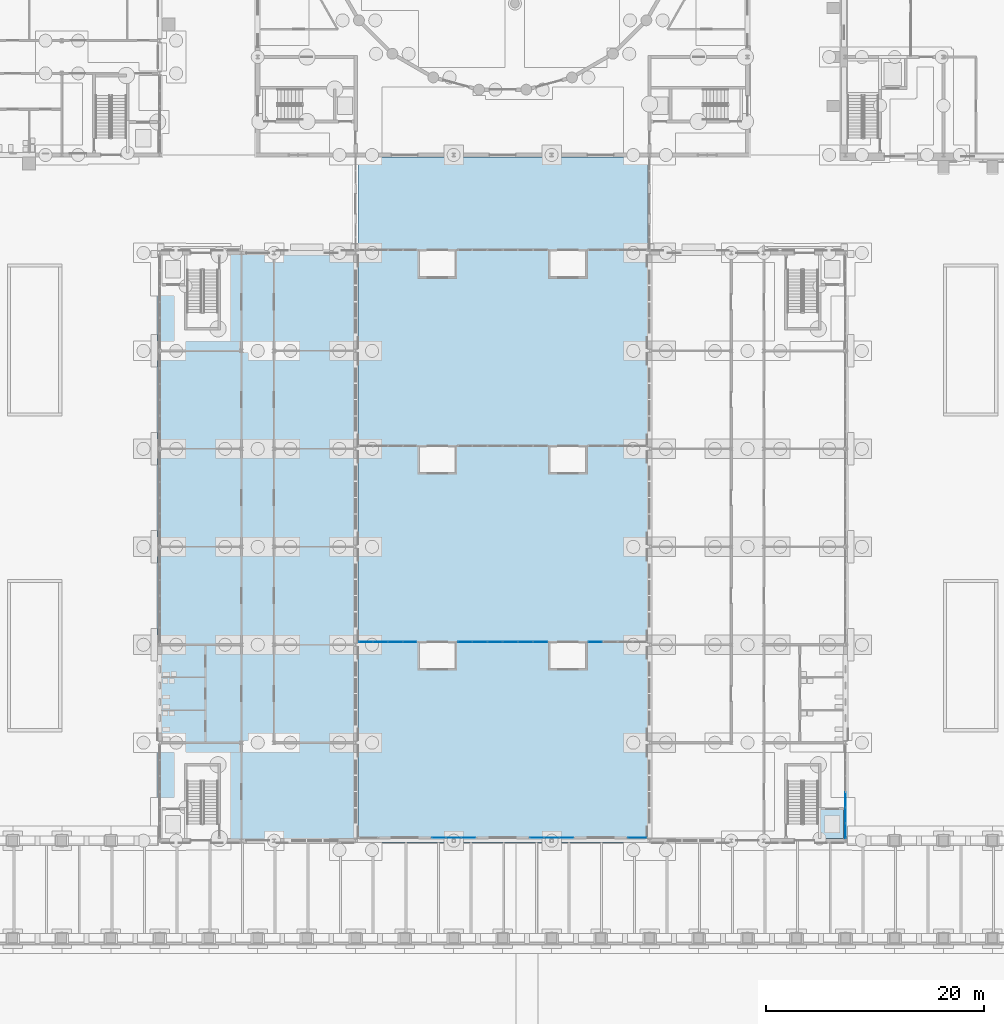
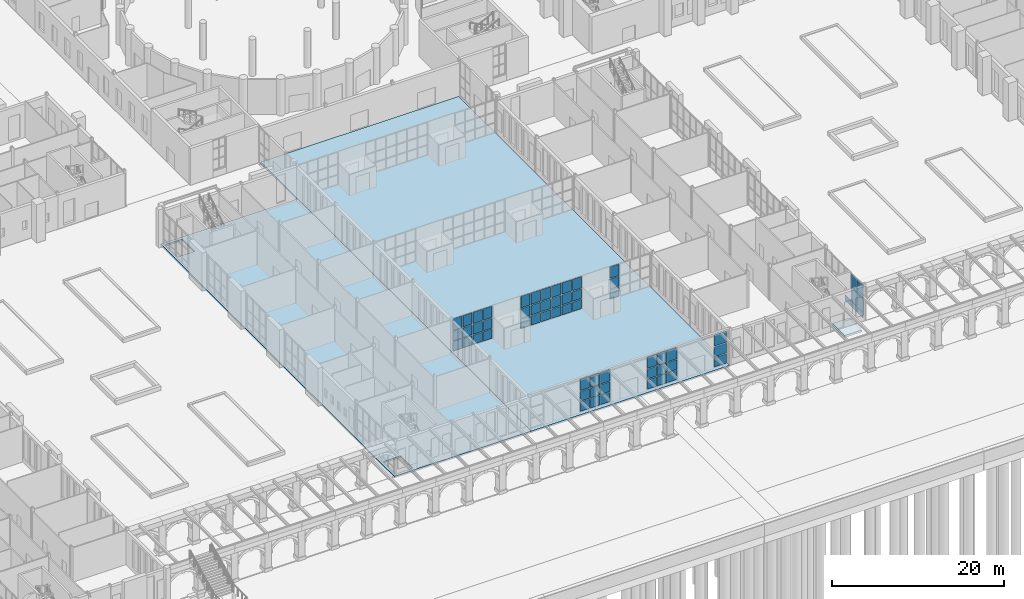
# One storey, part 74 of 168: 61 plates, 3 slabs, 7 elements without a shape of their own.
"""IFC4 building model written with IfcOpenShell, lengths in metres."""

from ifc_helpers import new_model, si_unit, direction, frame, origin, origin_2d, place, context, subcontext, project, spatial, polyline, rectangle, outline, extrude, material, layer, layer_set, type_object, element, aggregate, save


model = new_model("IFC4")

# Units and contexts
model_context = context("Model", 3, precision=1e-05, world=origin(), true_north=direction((0.0, 1.0)))
body_context = subcontext(model_context, "Body", "Model", "MODEL_VIEW")
ifc_project = project(units=[si_unit("LENGTHUNIT", "METRE"), si_unit("AREAUNIT", "SQUARE_METRE"), si_unit("VOLUMEUNIT", "CUBIC_METRE"), si_unit("PLANEANGLEUNIT", "RADIAN"), si_unit("MASSUNIT", "GRAM", prefix="KILO")], contexts=[model_context])

# Site, building, storey
site_placement = place(None, origin())
site = spatial("IfcSite", under=ifc_project, at=site_placement, CompositionType="ELEMENT")
building_placement = place(site_placement, origin())
building = spatial("IfcBuilding", under=site, at=building_placement, Name="Golden Quay Civic Hall", CompositionType="ELEMENT")
storey_placement = place(building_placement, origin())
storey = spatial("IfcBuildingStorey", under=building, at=storey_placement, Name="L00", CompositionType="ELEMENT", Elevation=0.0)

# Curtain wall, plates
ifc_material_1 = material(Name="Glass, laminated double glazed", Category="glass")
ifc_layer_1 = layer(ifc_material_1, 0.199951171875)
ifc_layer_set_1 = layer_set([ifc_layer_1], Name="Glazed core strip curtain wall")
curtain_wall_type_1 = type_object("IfcCurtainWallType", Name="Glazed core strip curtain wall", PredefinedType="NOTDEFINED", material=ifc_layer_set_1)
curtain_wall_1_placement = place(storey_placement, origin())
curtain_wall_1 = element("IfcCurtainWall", 1, at=curtain_wall_1_placement, inside=storey, type_object=curtain_wall_type_1, Name="Glazed core strip curtain wall L00 8", PredefinedType="NOTDEFINED")
ifc_material_2 = material(Name="Glass, laminated double glazed", Category="glass")
ifc_layer_2 = layer(ifc_material_2, 0.028076171875)
ifc_layer_set_2 = layer_set([ifc_layer_2], Name="Double glazed curtain wall panel 28")
plate_type_1 = type_object("IfcPlateType", Name="Double glazed curtain wall panel 28", PredefinedType="CURTAIN_PANEL", material=ifc_layer_set_2)
plate_1_placement = place(storey_placement, frame((117.0, 3.774169921875, 0.06005859375), z_axis=(0.0, 0.0, 1.0), x_axis=(0.0, -1.0, 0.0)))
plate_1 = element("IfcPlate", 2, at=plate_1_placement, type_object=plate_type_1, Name="CW2 panel 4.1", PredefinedType="CURTAIN_PANEL", context=body_context, shape_type="SweptSolid", body=[
    extrude(rectangle(XDim=1.3916015625, YDim=0.028076171875, at=origin_2d()), origin(), (0.0, 0.0, 1.0), 0.81005859375),
])
plate_2_placement = place(storey_placement, frame((117.0, 2.322509765625, 0.06005859375), z_axis=(0.0, 0.0, 1.0), x_axis=(0.0, -1.0, 0.0)))
plate_2 = element("IfcPlate", 3, at=plate_2_placement, type_object=plate_type_1, Name="CW2 panel 5.1", PredefinedType="CURTAIN_PANEL", context=body_context, shape_type="SweptSolid", body=[
    extrude(rectangle(XDim=1.3916015625, YDim=0.028076171875, at=origin_2d()), origin(), (0.0, 0.0, 1.0), 0.81005859375),
])
plate_3_placement = place(storey_placement, frame((117.0, 2.322509765625, 0.93017578125), z_axis=(0.0, 0.0, 1.0), x_axis=(0.0, -1.0, 0.0)))
plate_3 = element("IfcPlate", 4, at=plate_3_placement, type_object=plate_type_1, Name="CW2 panel 5.2", PredefinedType="CURTAIN_PANEL", context=body_context, shape_type="SweptSolid", body=[
    extrude(rectangle(XDim=1.3916015625, YDim=0.028076171875, at=origin_2d()), origin(), (0.0, 0.0, 1.0), 1.739990234375),
])
plate_4_placement = place(storey_placement, frame((117.0, 2.322509765625, 2.72998046875), z_axis=(0.0, 0.0, 1.0), x_axis=(0.0, -1.0, 0.0)))
plate_4 = element("IfcPlate", 5, at=plate_4_placement, type_object=plate_type_1, Name="CW2 panel 5.3", PredefinedType="CURTAIN_PANEL", context=body_context, shape_type="SweptSolid", body=[
    extrude(rectangle(XDim=1.3916015625, YDim=0.028076171875, at=origin_2d()), origin(), (0.0, 0.0, 1.0), 2.010009765625),
])
plate_5_placement = place(storey_placement, frame((117.0, 0.8857421875, 0.06005859375), z_axis=(0.0, 0.0, 1.0), x_axis=(0.0, -1.0, 0.0)))
plate_5 = element("IfcPlate", 6, at=plate_5_placement, type_object=plate_type_1, Name="CW2 panel 6.1", PredefinedType="CURTAIN_PANEL", context=body_context, shape_type="SweptSolid", body=[
    extrude(rectangle(XDim=1.361572265625, YDim=0.028076171875, at=origin_2d()), origin(), (0.0, 0.0, 1.0), 0.81005859375),
])
plate_6_placement = place(storey_placement, frame((117.0, 0.8857421875, 0.93017578125), z_axis=(0.0, 0.0, 1.0), x_axis=(0.0, -1.0, 0.0)))
plate_6 = element("IfcPlate", 7, at=plate_6_placement, type_object=plate_type_1, Name="CW2 panel 6.2", PredefinedType="CURTAIN_PANEL", context=body_context, shape_type="SweptSolid", body=[
    extrude(rectangle(XDim=1.361572265625, YDim=0.028076171875, at=origin_2d()), origin(), (0.0, 0.0, 1.0), 1.739990234375),
])
plate_7_placement = place(storey_placement, frame((117.0, 0.8857421875, 2.72998046875), z_axis=(0.0, 0.0, 1.0), x_axis=(0.0, -1.0, 0.0)))
plate_7 = element("IfcPlate", 8, at=plate_7_placement, type_object=plate_type_1, Name="CW2 panel 6.3", PredefinedType="CURTAIN_PANEL", context=body_context, shape_type="SweptSolid", body=[
    extrude(rectangle(XDim=1.361572265625, YDim=0.028076171875, at=origin_2d()), origin(), (0.0, 0.0, 1.0), 2.010009765625),
])
aggregate(curtain_wall_1, [plate_1, plate_2, plate_3, plate_4, plate_5, plate_6, plate_7])

ifc_material_3 = material(Name="Fire-resisting glass and steel", Category="steel")
curtain_wall_type_2 = type_object("IfcCurtainWallType", Name="Fire-resisting glazed curtain wall EI 120", PredefinedType="NOTDEFINED", material=ifc_material_3)
curtain_wall_2_placement = place(storey_placement, origin())
curtain_wall_2 = element("IfcCurtainWall", 9, at=curtain_wall_2_placement, inside=storey, type_object=curtain_wall_type_2, Name="CW3 curtain wall", PredefinedType="NOTDEFINED")
ifc_material_4 = material(Name="Fire-resisting laminated glass", Category="glass")
ifc_layer_3 = layer(ifc_material_4, 0.0400390625)
ifc_layer_set_3 = layer_set([ifc_layer_3], Name="Fire-resisting glazed panel 40")
plate_type_2 = type_object("IfcPlateType", Name="Fire-resisting glazed panel 40", PredefinedType="CURTAIN_PANEL", material=ifc_layer_set_3)
plate_8_placement = place(storey_placement, frame((72.91748046875, 18.27001953125, 0.1201171875), z_axis=(0.0, 0.0, 1.0), x_axis=(1.0, 0.0, 0.0)))
plate_8 = element("IfcPlate", 10, at=plate_8_placement, type_object=plate_type_2, Name="CW3 panel 1.1", PredefinedType="CURTAIN_PANEL", context=body_context, shape_type="SweptSolid", body=[
    extrude(rectangle(XDim=1.195068359375, YDim=0.0400390625, at=origin_2d()), origin(), (0.0, 0.0, 1.0), 1.320068359375),
])
plate_9_placement = place(storey_placement, frame((72.91748046875, 18.27001953125, 1.56005859375), z_axis=(0.0, 0.0, 1.0), x_axis=(1.0, 0.0, 0.0)))
plate_9 = element("IfcPlate", 11, at=plate_9_placement, type_object=plate_type_2, Name="CW3 panel 1.2", PredefinedType="CURTAIN_PANEL", context=body_context, shape_type="SweptSolid", body=[
    extrude(rectangle(XDim=1.195068359375, YDim=0.0400390625, at=origin_2d()), origin(), (0.0, 0.0, 1.0), 1.3798828125),
])
plate_10_placement = place(storey_placement, frame((72.91748046875, 18.27001953125, 3.06005859375), z_axis=(0.0, 0.0, 1.0), x_axis=(1.0, 0.0, 0.0)))
plate_10 = element("IfcPlate", 12, at=plate_10_placement, type_object=plate_type_2, Name="CW3 panel 1.3", PredefinedType="CURTAIN_PANEL", context=body_context, shape_type="SweptSolid", body=[
    extrude(rectangle(XDim=1.195068359375, YDim=0.0400390625, at=origin_2d()), origin(), (0.0, 0.0, 1.0), 1.6201171875),
])
plate_11_placement = place(storey_placement, frame((74.262451171875, 18.27001953125, 0.1201171875), z_axis=(0.0, 0.0, 1.0), x_axis=(1.0, 0.0, 0.0)))
plate_11 = element("IfcPlate", 13, at=plate_11_placement, type_object=plate_type_2, Name="CW3 panel 2.1", PredefinedType="CURTAIN_PANEL", context=body_context, shape_type="SweptSolid", body=[
    extrude(rectangle(XDim=1.2548828125, YDim=0.0400390625, at=origin_2d()), origin(), (0.0, 0.0, 1.0), 1.320068359375),
])
plate_12_placement = place(storey_placement, frame((74.262451171875, 18.27001953125, 1.56005859375), z_axis=(0.0, 0.0, 1.0), x_axis=(1.0, 0.0, 0.0)))
plate_12 = element("IfcPlate", 14, at=plate_12_placement, type_object=plate_type_2, Name="CW3 panel 2.2", PredefinedType="CURTAIN_PANEL", context=body_context, shape_type="SweptSolid", body=[
    extrude(rectangle(XDim=1.2548828125, YDim=0.0400390625, at=origin_2d()), origin(), (0.0, 0.0, 1.0), 1.3798828125),
])
plate_13_placement = place(storey_placement, frame((74.262451171875, 18.27001953125, 3.06005859375), z_axis=(0.0, 0.0, 1.0), x_axis=(1.0, 0.0, 0.0)))
plate_13 = element("IfcPlate", 15, at=plate_13_placement, type_object=plate_type_2, Name="CW3 panel 2.3", PredefinedType="CURTAIN_PANEL", context=body_context, shape_type="SweptSolid", body=[
    extrude(rectangle(XDim=1.2548828125, YDim=0.0400390625, at=origin_2d()), origin(), (0.0, 0.0, 1.0), 1.6201171875),
])
plate_14_placement = place(storey_placement, frame((75.637451171875, 18.27001953125, 0.1201171875), z_axis=(0.0, 0.0, 1.0), x_axis=(1.0, 0.0, 0.0)))
plate_14 = element("IfcPlate", 16, at=plate_14_placement, type_object=plate_type_2, Name="CW3 panel 3.1", PredefinedType="CURTAIN_PANEL", context=body_context, shape_type="SweptSolid", body=[
    extrude(rectangle(XDim=1.2548828125, YDim=0.0400390625, at=origin_2d()), origin(), (0.0, 0.0, 1.0), 1.320068359375),
])
plate_15_placement = place(storey_placement, frame((75.637451171875, 18.27001953125, 1.56005859375), z_axis=(0.0, 0.0, 1.0), x_axis=(1.0, 0.0, 0.0)))
plate_15 = element("IfcPlate", 17, at=plate_15_placement, type_object=plate_type_2, Name="CW3 panel 3.2", PredefinedType="CURTAIN_PANEL", context=body_context, shape_type="SweptSolid", body=[
    extrude(rectangle(XDim=1.2548828125, YDim=0.0400390625, at=origin_2d()), origin(), (0.0, 0.0, 1.0), 1.3798828125),
])
plate_16_placement = place(storey_placement, frame((75.637451171875, 18.27001953125, 3.06005859375), z_axis=(0.0, 0.0, 1.0), x_axis=(1.0, 0.0, 0.0)))
plate_16 = element("IfcPlate", 18, at=plate_16_placement, type_object=plate_type_2, Name="CW3 panel 3.3", PredefinedType="CURTAIN_PANEL", context=body_context, shape_type="SweptSolid", body=[
    extrude(rectangle(XDim=1.2548828125, YDim=0.0400390625, at=origin_2d()), origin(), (0.0, 0.0, 1.0), 1.6201171875),
])
plate_17_placement = place(storey_placement, frame((76.982421875, 18.27001953125, 0.1201171875), z_axis=(0.0, 0.0, 1.0), x_axis=(1.0, 0.0, 0.0)))
plate_17 = element("IfcPlate", 19, at=plate_17_placement, type_object=plate_type_2, Name="CW3 panel 4.1", PredefinedType="CURTAIN_PANEL", context=body_context, shape_type="SweptSolid", body=[
    extrude(rectangle(XDim=1.195068359375, YDim=0.0400390625, at=origin_2d()), origin(), (0.0, 0.0, 1.0), 1.320068359375),
])
plate_18_placement = place(storey_placement, frame((76.982421875, 18.27001953125, 1.56005859375), z_axis=(0.0, 0.0, 1.0), x_axis=(1.0, 0.0, 0.0)))
plate_18 = element("IfcPlate", 20, at=plate_18_placement, type_object=plate_type_2, Name="CW3 panel 4.2", PredefinedType="CURTAIN_PANEL", context=body_context, shape_type="SweptSolid", body=[
    extrude(rectangle(XDim=1.195068359375, YDim=0.0400390625, at=origin_2d()), origin(), (0.0, 0.0, 1.0), 1.3798828125),
])
plate_19_placement = place(storey_placement, frame((76.982421875, 18.27001953125, 3.06005859375), z_axis=(0.0, 0.0, 1.0), x_axis=(1.0, 0.0, 0.0)))
plate_19 = element("IfcPlate", 21, at=plate_19_placement, type_object=plate_type_2, Name="CW3 panel 4.3", PredefinedType="CURTAIN_PANEL", context=body_context, shape_type="SweptSolid", body=[
    extrude(rectangle(XDim=1.195068359375, YDim=0.0400390625, at=origin_2d()), origin(), (0.0, 0.0, 1.0), 1.6201171875),
])
aggregate(curtain_wall_2, [plate_8, plate_9, plate_10, plate_11, plate_12, plate_13, plate_14, plate_15, plate_16, plate_17, plate_18, plate_19])

curtain_wall_3_placement = place(storey_placement, origin())
curtain_wall_3 = element("IfcCurtainWall", 22, at=curtain_wall_3_placement, inside=storey, type_object=curtain_wall_type_2, Name="CW3 curtain wall", PredefinedType="NOTDEFINED")
plate_20_placement = place(storey_placement, frame((82.030029296875, 18.27001953125, 0.1201171875), z_axis=(0.0, 0.0, 1.0), x_axis=(1.0, 0.0, 0.0)))
plate_20 = element("IfcPlate", 23, at=plate_20_placement, type_object=plate_type_2, Name="CW3 panel 1.1", PredefinedType="CURTAIN_PANEL", context=body_context, shape_type="SweptSolid", body=[
    extrude(rectangle(XDim=1.219970703125, YDim=0.0400390625, at=origin_2d()), origin(), (0.0, 0.0, 1.0), 1.320068359375),
])
plate_21_placement = place(storey_placement, frame((82.030029296875, 18.27001953125, 1.56005859375), z_axis=(0.0, 0.0, 1.0), x_axis=(1.0, 0.0, 0.0)))
plate_21 = element("IfcPlate", 24, at=plate_21_placement, type_object=plate_type_2, Name="CW3 panel 1.2", PredefinedType="CURTAIN_PANEL", context=body_context, shape_type="SweptSolid", body=[
    extrude(rectangle(XDim=1.219970703125, YDim=0.0400390625, at=origin_2d()), origin(), (0.0, 0.0, 1.0), 1.3798828125),
])
plate_22_placement = place(storey_placement, frame((82.030029296875, 18.27001953125, 3.06005859375), z_axis=(0.0, 0.0, 1.0), x_axis=(1.0, 0.0, 0.0)))
plate_22 = element("IfcPlate", 25, at=plate_22_placement, type_object=plate_type_2, Name="CW3 panel 1.3", PredefinedType="CURTAIN_PANEL", context=body_context, shape_type="SweptSolid", body=[
    extrude(rectangle(XDim=1.219970703125, YDim=0.0400390625, at=origin_2d()), origin(), (0.0, 0.0, 1.0), 1.6201171875),
])
plate_23_placement = place(storey_placement, frame((83.39990234375, 18.27001953125, 0.1201171875), z_axis=(0.0, 0.0, 1.0), x_axis=(1.0, 0.0, 0.0)))
plate_23 = element("IfcPlate", 26, at=plate_23_placement, type_object=plate_type_2, Name="CW3 panel 2.1", PredefinedType="CURTAIN_PANEL", context=body_context, shape_type="SweptSolid", body=[
    extrude(rectangle(XDim=1.280029296875, YDim=0.0400390625, at=origin_2d()), origin(), (0.0, 0.0, 1.0), 1.320068359375),
])
plate_24_placement = place(storey_placement, frame((83.39990234375, 18.27001953125, 1.56005859375), z_axis=(0.0, 0.0, 1.0), x_axis=(1.0, 0.0, 0.0)))
plate_24 = element("IfcPlate", 27, at=plate_24_placement, type_object=plate_type_2, Name="CW3 panel 2.2", PredefinedType="CURTAIN_PANEL", context=body_context, shape_type="SweptSolid", body=[
    extrude(rectangle(XDim=1.280029296875, YDim=0.0400390625, at=origin_2d()), origin(), (0.0, 0.0, 1.0), 1.3798828125),
])
plate_25_placement = place(storey_placement, frame((83.39990234375, 18.27001953125, 3.06005859375), z_axis=(0.0, 0.0, 1.0), x_axis=(1.0, 0.0, 0.0)))
plate_25 = element("IfcPlate", 28, at=plate_25_placement, type_object=plate_type_2, Name="CW3 panel 2.3", PredefinedType="CURTAIN_PANEL", context=body_context, shape_type="SweptSolid", body=[
    extrude(rectangle(XDim=1.280029296875, YDim=0.0400390625, at=origin_2d()), origin(), (0.0, 0.0, 1.0), 1.6201171875),
])
plate_26_placement = place(storey_placement, frame((84.800048828125, 18.27001953125, 0.1201171875), z_axis=(0.0, 0.0, 1.0), x_axis=(1.0, 0.0, 0.0)))
plate_26 = element("IfcPlate", 29, at=plate_26_placement, type_object=plate_type_2, Name="CW3 panel 3.1", PredefinedType="CURTAIN_PANEL", context=body_context, shape_type="SweptSolid", body=[
    extrude(rectangle(XDim=1.280029296875, YDim=0.0400390625, at=origin_2d()), origin(), (0.0, 0.0, 1.0), 1.320068359375),
])
plate_27_placement = place(storey_placement, frame((84.800048828125, 18.27001953125, 1.56005859375), z_axis=(0.0, 0.0, 1.0), x_axis=(1.0, 0.0, 0.0)))
plate_27 = element("IfcPlate", 30, at=plate_27_placement, type_object=plate_type_2, Name="CW3 panel 3.2", PredefinedType="CURTAIN_PANEL", context=body_context, shape_type="SweptSolid", body=[
    extrude(rectangle(XDim=1.280029296875, YDim=0.0400390625, at=origin_2d()), origin(), (0.0, 0.0, 1.0), 1.3798828125),
])
plate_28_placement = place(storey_placement, frame((84.800048828125, 18.27001953125, 3.06005859375), z_axis=(0.0, 0.0, 1.0), x_axis=(1.0, 0.0, 0.0)))
plate_28 = element("IfcPlate", 31, at=plate_28_placement, type_object=plate_type_2, Name="CW3 panel 3.3", PredefinedType="CURTAIN_PANEL", context=body_context, shape_type="SweptSolid", body=[
    extrude(rectangle(XDim=1.280029296875, YDim=0.0400390625, at=origin_2d()), origin(), (0.0, 0.0, 1.0), 1.6201171875),
])
plate_29_placement = place(storey_placement, frame((86.199951171875, 18.27001953125, 0.1201171875), z_axis=(0.0, 0.0, 1.0), x_axis=(1.0, 0.0, 0.0)))
plate_29 = element("IfcPlate", 32, at=plate_29_placement, type_object=plate_type_2, Name="CW3 panel 4.1", PredefinedType="CURTAIN_PANEL", context=body_context, shape_type="SweptSolid", body=[
    extrude(rectangle(XDim=1.280029296875, YDim=0.0400390625, at=origin_2d()), origin(), (0.0, 0.0, 1.0), 1.320068359375),
])
plate_30_placement = place(storey_placement, frame((86.199951171875, 18.27001953125, 1.56005859375), z_axis=(0.0, 0.0, 1.0), x_axis=(1.0, 0.0, 0.0)))
plate_30 = element("IfcPlate", 33, at=plate_30_placement, type_object=plate_type_2, Name="CW3 panel 4.2", PredefinedType="CURTAIN_PANEL", context=body_context, shape_type="SweptSolid", body=[
    extrude(rectangle(XDim=1.280029296875, YDim=0.0400390625, at=origin_2d()), origin(), (0.0, 0.0, 1.0), 1.3798828125),
])
plate_31_placement = place(storey_placement, frame((86.199951171875, 18.27001953125, 3.06005859375), z_axis=(0.0, 0.0, 1.0), x_axis=(1.0, 0.0, 0.0)))
plate_31 = element("IfcPlate", 34, at=plate_31_placement, type_object=plate_type_2, Name="CW3 panel 4.3", PredefinedType="CURTAIN_PANEL", context=body_context, shape_type="SweptSolid", body=[
    extrude(rectangle(XDim=1.280029296875, YDim=0.0400390625, at=origin_2d()), origin(), (0.0, 0.0, 1.0), 1.6201171875),
])
plate_32_placement = place(storey_placement, frame((87.60009765625, 18.27001953125, 0.1201171875), z_axis=(0.0, 0.0, 1.0), x_axis=(1.0, 0.0, 0.0)))
plate_32 = element("IfcPlate", 35, at=plate_32_placement, type_object=plate_type_2, Name="CW3 panel 5.1", PredefinedType="CURTAIN_PANEL", context=body_context, shape_type="SweptSolid", body=[
    extrude(rectangle(XDim=1.280029296875, YDim=0.0400390625, at=origin_2d()), origin(), (0.0, 0.0, 1.0), 1.320068359375),
])
plate_33_placement = place(storey_placement, frame((87.60009765625, 18.27001953125, 1.56005859375), z_axis=(0.0, 0.0, 1.0), x_axis=(1.0, 0.0, 0.0)))
plate_33 = element("IfcPlate", 36, at=plate_33_placement, type_object=plate_type_2, Name="CW3 panel 5.2", PredefinedType="CURTAIN_PANEL", context=body_context, shape_type="SweptSolid", body=[
    extrude(rectangle(XDim=1.280029296875, YDim=0.0400390625, at=origin_2d()), origin(), (0.0, 0.0, 1.0), 1.3798828125),
])
plate_34_placement = place(storey_placement, frame((87.60009765625, 18.27001953125, 3.06005859375), z_axis=(0.0, 0.0, 1.0), x_axis=(1.0, 0.0, 0.0)))
plate_34 = element("IfcPlate", 37, at=plate_34_placement, type_object=plate_type_2, Name="CW3 panel 5.3", PredefinedType="CURTAIN_PANEL", context=body_context, shape_type="SweptSolid", body=[
    extrude(rectangle(XDim=1.280029296875, YDim=0.0400390625, at=origin_2d()), origin(), (0.0, 0.0, 1.0), 1.6201171875),
])
plate_35_placement = place(storey_placement, frame((88.969970703125, 18.27001953125, 0.1201171875), z_axis=(0.0, 0.0, 1.0), x_axis=(1.0, 0.0, 0.0)))
plate_35 = element("IfcPlate", 38, at=plate_35_placement, type_object=plate_type_2, Name="CW3 panel 6.1", PredefinedType="CURTAIN_PANEL", context=body_context, shape_type="SweptSolid", body=[
    extrude(rectangle(XDim=1.219970703125, YDim=0.0400390625, at=origin_2d()), origin(), (0.0, 0.0, 1.0), 1.320068359375),
])
plate_36_placement = place(storey_placement, frame((88.969970703125, 18.27001953125, 1.56005859375), z_axis=(0.0, 0.0, 1.0), x_axis=(1.0, 0.0, 0.0)))
plate_36 = element("IfcPlate", 39, at=plate_36_placement, type_object=plate_type_2, Name="CW3 panel 6.2", PredefinedType="CURTAIN_PANEL", context=body_context, shape_type="SweptSolid", body=[
    extrude(rectangle(XDim=1.219970703125, YDim=0.0400390625, at=origin_2d()), origin(), (0.0, 0.0, 1.0), 1.3798828125),
])
plate_37_placement = place(storey_placement, frame((88.969970703125, 18.27001953125, 3.06005859375), z_axis=(0.0, 0.0, 1.0), x_axis=(1.0, 0.0, 0.0)))
plate_37 = element("IfcPlate", 40, at=plate_37_placement, type_object=plate_type_2, Name="CW3 panel 6.3", PredefinedType="CURTAIN_PANEL", context=body_context, shape_type="SweptSolid", body=[
    extrude(rectangle(XDim=1.219970703125, YDim=0.0400390625, at=origin_2d()), origin(), (0.0, 0.0, 1.0), 1.6201171875),
])
aggregate(curtain_wall_3, [plate_20, plate_21, plate_22, plate_23, plate_24, plate_25, plate_26, plate_27, plate_28, plate_29, plate_30, plate_31, plate_32, plate_33, plate_34, plate_35, plate_36, plate_37])

curtain_wall_4_placement = place(storey_placement, origin())
curtain_wall_4 = element("IfcCurtainWall", 41, at=curtain_wall_4_placement, inside=storey, type_object=curtain_wall_type_2, Name="CW3 curtain wall", PredefinedType="NOTDEFINED")
plate_38_placement = place(storey_placement, frame((94.017578125, 18.27001953125, 0.1201171875), z_axis=(0.0, 0.0, 1.0), x_axis=(1.0, 0.0, 0.0)))
plate_38 = element("IfcPlate", 42, at=plate_38_placement, type_object=plate_type_2, Name="CW3 panel 1.1", PredefinedType="CURTAIN_PANEL", context=body_context, shape_type="SweptSolid", body=[
    extrude(rectangle(XDim=1.195068359375, YDim=0.0400390625, at=origin_2d()), origin(), (0.0, 0.0, 1.0), 1.320068359375),
])
plate_39_placement = place(storey_placement, frame((94.017578125, 18.27001953125, 1.56005859375), z_axis=(0.0, 0.0, 1.0), x_axis=(1.0, 0.0, 0.0)))
plate_39 = element("IfcPlate", 43, at=plate_39_placement, type_object=plate_type_2, Name="CW3 panel 1.2", PredefinedType="CURTAIN_PANEL", context=body_context, shape_type="SweptSolid", body=[
    extrude(rectangle(XDim=1.195068359375, YDim=0.0400390625, at=origin_2d()), origin(), (0.0, 0.0, 1.0), 1.3798828125),
])
plate_40_placement = place(storey_placement, frame((94.017578125, 18.27001953125, 3.06005859375), z_axis=(0.0, 0.0, 1.0), x_axis=(1.0, 0.0, 0.0)))
plate_40 = element("IfcPlate", 44, at=plate_40_placement, type_object=plate_type_2, Name="CW3 panel 1.3", PredefinedType="CURTAIN_PANEL", context=body_context, shape_type="SweptSolid", body=[
    extrude(rectangle(XDim=1.195068359375, YDim=0.0400390625, at=origin_2d()), origin(), (0.0, 0.0, 1.0), 1.6201171875),
])
aggregate(curtain_wall_4, [plate_38, plate_39, plate_40])

# Slabs
ifc_material_5 = material(Name="Concrete C35/45", Category="concrete")
ifc_layer_4 = layer(ifc_material_5, 0.25)
ifc_layer_set_4 = layer_set([ifc_layer_4], Name="Ground slab 250")
slab_type_1 = type_object("IfcSlabType", Name="Ground slab 250", PredefinedType="BASESLAB", material=ifc_layer_set_4)
slab_1_placement = place(storey_placement, frame((0.0, 0.0, -0.25)))
element("IfcSlab", 45, at=slab_1_placement, inside=storey, type_object=slab_type_1, Name="WM ground slab", PredefinedType="BASESLAB", context=body_context, shape_type="SweptSolid", body=[
    extrude(outline(polyline([(53.800048828125, 54.199951171875), (72.199951171875, 54.199951171875), (72.199951171875, 0.0), (72.199951171875, -0.199951171875), (53.800048828125, -0.199951171875), (53.800048828125, 54.199951171875)]), holes=[polyline([(56.5, 0.199951171875), (56.5, 3.050048828125), (56.25, 3.050048828125), (54.199951171875, 3.050048828125), (54.199951171875, 2.800048828125), (54.199951171875, 0.199951171875), (56.25, 0.199951171875), (56.5, 0.199951171875)]), polyline([(56.25, 50.949951171875), (56.5, 50.949951171875), (56.5, 53.800048828125), (56.25, 53.800048828125), (54.199951171875, 53.800048828125), (54.199951171875, 51.199951171875), (54.199951171875, 50.949951171875), (56.25, 50.949951171875)])]), origin(), (0.0, 0.0, 1.0), 0.25),
])
ifc_material_6 = material(Name="Concrete C30/37", Category="concrete")
ifc_layer_5 = layer(ifc_material_6, 0.25)
ifc_layer_set_5 = layer_set([ifc_layer_5], Name="Hall ground slab 250")
slab_type_2 = type_object("IfcSlabType", Name="Hall ground slab 250", PredefinedType="BASESLAB", material=ifc_layer_set_5)
slab_2_placement = place(storey_placement, frame((0.0, 0.0, -0.25)))
element("IfcSlab", 46, at=slab_2_placement, inside=storey, type_object=slab_type_2, Name="Public hall ground slab", PredefinedType="BASESLAB", context=body_context, shape_type="SweptSolid", body=[
    extrude(outline(polyline([(72.199951171875, -0.199951171875), (98.800048828125, -0.199951171875), (98.800048828125, 62.800048828125), (72.199951171875, 62.800048828125), (72.199951171875, -0.199951171875)])), origin(), (0.0, 0.0, 1.0), 0.25),
])

# Curtain wall, plates
ifc_material_7 = material(Name="Glass and aluminium", Category="aluminium")
curtain_wall_type_3 = type_object("IfcCurtainWallType", Name="Glazed curtain wall 1500 module", PredefinedType="NOTDEFINED", material=ifc_material_7)
curtain_wall_5_placement = place(storey_placement, origin())
curtain_wall_5 = element("IfcCurtainWall", 47, at=curtain_wall_5_placement, inside=storey, type_object=curtain_wall_type_3, Name="CW1 curtain wall", PredefinedType="NOTDEFINED")
ifc_material_8 = material(Name="Laminated glass", Category="glass")
ifc_layer_6 = layer(ifc_material_8, 0.028076171875)
ifc_layer_set_6 = layer_set([ifc_layer_6], Name="Laminated glass panel 28")
plate_type_3 = type_object("IfcPlateType", Name="Laminated glass panel 28", PredefinedType="CURTAIN_PANEL", material=ifc_layer_set_6)
plate_41_placement = place(storey_placement, frame((79.6298828125, 0.27001953125, 0.1201171875), z_axis=(0.0, 0.0, 1.0), x_axis=(1.0, 0.0, 0.0)))
plate_41 = element("IfcPlate", 48, at=plate_41_placement, type_object=plate_type_3, Name="CW1 panel 1.1", PredefinedType="CURTAIN_PANEL", context=body_context, shape_type="SweptSolid", body=[
    extrude(rectangle(XDim=1.219970703125, YDim=0.028076171875, at=origin_2d()), origin(), (0.0, 0.0, 1.0), 1.320068359375),
])
plate_42_placement = place(storey_placement, frame((79.6298828125, 0.27001953125, 1.56005859375), z_axis=(0.0, 0.0, 1.0), x_axis=(1.0, 0.0, 0.0)))
plate_42 = element("IfcPlate", 49, at=plate_42_placement, type_object=plate_type_3, Name="CW1 panel 1.2", PredefinedType="CURTAIN_PANEL", context=body_context, shape_type="SweptSolid", body=[
    extrude(rectangle(XDim=1.219970703125, YDim=0.028076171875, at=origin_2d()), origin(), (0.0, 0.0, 1.0), 1.3798828125),
])
plate_43_placement = place(storey_placement, frame((79.6298828125, 0.27001953125, 3.06005859375), z_axis=(0.0, 0.0, 1.0), x_axis=(1.0, 0.0, 0.0)))
plate_43 = element("IfcPlate", 50, at=plate_43_placement, type_object=plate_type_3, Name="CW1 panel 1.3", PredefinedType="CURTAIN_PANEL", context=body_context, shape_type="SweptSolid", body=[
    extrude(rectangle(XDim=1.219970703125, YDim=0.028076171875, at=origin_2d()), origin(), (0.0, 0.0, 1.0), 1.6201171875),
])
plate_44_placement = place(storey_placement, frame((81.0, 0.27001953125, 0.1201171875), z_axis=(0.0, 0.0, 1.0), x_axis=(1.0, 0.0, 0.0)))
plate_44 = element("IfcPlate", 51, at=plate_44_placement, type_object=plate_type_3, Name="CW1 panel 2.1", PredefinedType="CURTAIN_PANEL", context=body_context, shape_type="SweptSolid", body=[
    extrude(rectangle(XDim=1.280029296875, YDim=0.028076171875, at=origin_2d()), origin(), (0.0, 0.0, 1.0), 1.320068359375),
])
plate_45_placement = place(storey_placement, frame((81.0, 0.27001953125, 1.56005859375), z_axis=(0.0, 0.0, 1.0), x_axis=(1.0, 0.0, 0.0)))
plate_45 = element("IfcPlate", 52, at=plate_45_placement, type_object=plate_type_3, Name="CW1 panel 2.2", PredefinedType="CURTAIN_PANEL", context=body_context, shape_type="SweptSolid", body=[
    extrude(rectangle(XDim=1.280029296875, YDim=0.028076171875, at=origin_2d()), origin(), (0.0, 0.0, 1.0), 1.3798828125),
])
plate_46_placement = place(storey_placement, frame((81.0, 0.27001953125, 3.06005859375), z_axis=(0.0, 0.0, 1.0), x_axis=(1.0, 0.0, 0.0)))
plate_46 = element("IfcPlate", 53, at=plate_46_placement, type_object=plate_type_3, Name="CW1 panel 2.3", PredefinedType="CURTAIN_PANEL", context=body_context, shape_type="SweptSolid", body=[
    extrude(rectangle(XDim=1.280029296875, YDim=0.028076171875, at=origin_2d()), origin(), (0.0, 0.0, 1.0), 1.6201171875),
])
plate_47_placement = place(storey_placement, frame((82.3701171875, 0.27001953125, 0.1201171875), z_axis=(0.0, 0.0, 1.0), x_axis=(1.0, 0.0, 0.0)))
plate_47 = element("IfcPlate", 54, at=plate_47_placement, type_object=plate_type_3, Name="CW1 panel 3.1", PredefinedType="CURTAIN_PANEL", context=body_context, shape_type="SweptSolid", body=[
    extrude(rectangle(XDim=1.219970703125, YDim=0.028076171875, at=origin_2d()), origin(), (0.0, 0.0, 1.0), 1.320068359375),
])
plate_48_placement = place(storey_placement, frame((82.3701171875, 0.27001953125, 1.56005859375), z_axis=(0.0, 0.0, 1.0), x_axis=(1.0, 0.0, 0.0)))
plate_48 = element("IfcPlate", 55, at=plate_48_placement, type_object=plate_type_3, Name="CW1 panel 3.2", PredefinedType="CURTAIN_PANEL", context=body_context, shape_type="SweptSolid", body=[
    extrude(rectangle(XDim=1.219970703125, YDim=0.028076171875, at=origin_2d()), origin(), (0.0, 0.0, 1.0), 1.3798828125),
])
plate_49_placement = place(storey_placement, frame((82.3701171875, 0.27001953125, 3.06005859375), z_axis=(0.0, 0.0, 1.0), x_axis=(1.0, 0.0, 0.0)))
plate_49 = element("IfcPlate", 56, at=plate_49_placement, type_object=plate_type_3, Name="CW1 panel 3.3", PredefinedType="CURTAIN_PANEL", context=body_context, shape_type="SweptSolid", body=[
    extrude(rectangle(XDim=1.219970703125, YDim=0.028076171875, at=origin_2d()), origin(), (0.0, 0.0, 1.0), 1.6201171875),
])
aggregate(curtain_wall_5, [plate_41, plate_42, plate_43, plate_44, plate_45, plate_46, plate_47, plate_48, plate_49])

curtain_wall_6_placement = place(storey_placement, origin())
curtain_wall_6 = element("IfcCurtainWall", 57, at=curtain_wall_6_placement, inside=storey, type_object=curtain_wall_type_3, Name="CW1 curtain wall", PredefinedType="NOTDEFINED")
plate_50_placement = place(storey_placement, frame((88.6298828125, 0.27001953125, 0.1201171875), z_axis=(0.0, 0.0, 1.0), x_axis=(1.0, 0.0, 0.0)))
plate_50 = element("IfcPlate", 58, at=plate_50_placement, type_object=plate_type_3, Name="CW1 panel 1.1", PredefinedType="CURTAIN_PANEL", context=body_context, shape_type="SweptSolid", body=[
    extrude(rectangle(XDim=1.219970703125, YDim=0.028076171875, at=origin_2d()), origin(), (0.0, 0.0, 1.0), 1.320068359375),
])
plate_51_placement = place(storey_placement, frame((88.6298828125, 0.27001953125, 1.56005859375), z_axis=(0.0, 0.0, 1.0), x_axis=(1.0, 0.0, 0.0)))
plate_51 = element("IfcPlate", 59, at=plate_51_placement, type_object=plate_type_3, Name="CW1 panel 1.2", PredefinedType="CURTAIN_PANEL", context=body_context, shape_type="SweptSolid", body=[
    extrude(rectangle(XDim=1.219970703125, YDim=0.028076171875, at=origin_2d()), origin(), (0.0, 0.0, 1.0), 1.3798828125),
])
plate_52_placement = place(storey_placement, frame((88.6298828125, 0.27001953125, 3.06005859375), z_axis=(0.0, 0.0, 1.0), x_axis=(1.0, 0.0, 0.0)))
plate_52 = element("IfcPlate", 60, at=plate_52_placement, type_object=plate_type_3, Name="CW1 panel 1.3", PredefinedType="CURTAIN_PANEL", context=body_context, shape_type="SweptSolid", body=[
    extrude(rectangle(XDim=1.219970703125, YDim=0.028076171875, at=origin_2d()), origin(), (0.0, 0.0, 1.0), 1.6201171875),
])
plate_53_placement = place(storey_placement, frame((90.0, 0.27001953125, 0.1201171875), z_axis=(0.0, 0.0, 1.0), x_axis=(1.0, 0.0, 0.0)))
plate_53 = element("IfcPlate", 61, at=plate_53_placement, type_object=plate_type_3, Name="CW1 panel 2.1", PredefinedType="CURTAIN_PANEL", context=body_context, shape_type="SweptSolid", body=[
    extrude(rectangle(XDim=1.280029296875, YDim=0.028076171875, at=origin_2d()), origin(), (0.0, 0.0, 1.0), 1.320068359375),
])
plate_54_placement = place(storey_placement, frame((90.0, 0.27001953125, 1.56005859375), z_axis=(0.0, 0.0, 1.0), x_axis=(1.0, 0.0, 0.0)))
plate_54 = element("IfcPlate", 62, at=plate_54_placement, type_object=plate_type_3, Name="CW1 panel 2.2", PredefinedType="CURTAIN_PANEL", context=body_context, shape_type="SweptSolid", body=[
    extrude(rectangle(XDim=1.280029296875, YDim=0.028076171875, at=origin_2d()), origin(), (0.0, 0.0, 1.0), 1.3798828125),
])
plate_55_placement = place(storey_placement, frame((90.0, 0.27001953125, 3.06005859375), z_axis=(0.0, 0.0, 1.0), x_axis=(1.0, 0.0, 0.0)))
plate_55 = element("IfcPlate", 63, at=plate_55_placement, type_object=plate_type_3, Name="CW1 panel 2.3", PredefinedType="CURTAIN_PANEL", context=body_context, shape_type="SweptSolid", body=[
    extrude(rectangle(XDim=1.280029296875, YDim=0.028076171875, at=origin_2d()), origin(), (0.0, 0.0, 1.0), 1.6201171875),
])
plate_56_placement = place(storey_placement, frame((91.3701171875, 0.27001953125, 0.1201171875), z_axis=(0.0, 0.0, 1.0), x_axis=(1.0, 0.0, 0.0)))
plate_56 = element("IfcPlate", 64, at=plate_56_placement, type_object=plate_type_3, Name="CW1 panel 3.1", PredefinedType="CURTAIN_PANEL", context=body_context, shape_type="SweptSolid", body=[
    extrude(rectangle(XDim=1.219970703125, YDim=0.028076171875, at=origin_2d()), origin(), (0.0, 0.0, 1.0), 1.320068359375),
])
plate_57_placement = place(storey_placement, frame((91.3701171875, 0.27001953125, 1.56005859375), z_axis=(0.0, 0.0, 1.0), x_axis=(1.0, 0.0, 0.0)))
plate_57 = element("IfcPlate", 65, at=plate_57_placement, type_object=plate_type_3, Name="CW1 panel 3.2", PredefinedType="CURTAIN_PANEL", context=body_context, shape_type="SweptSolid", body=[
    extrude(rectangle(XDim=1.219970703125, YDim=0.028076171875, at=origin_2d()), origin(), (0.0, 0.0, 1.0), 1.3798828125),
])
plate_58_placement = place(storey_placement, frame((91.3701171875, 0.27001953125, 3.06005859375), z_axis=(0.0, 0.0, 1.0), x_axis=(1.0, 0.0, 0.0)))
plate_58 = element("IfcPlate", 66, at=plate_58_placement, type_object=plate_type_3, Name="CW1 panel 3.3", PredefinedType="CURTAIN_PANEL", context=body_context, shape_type="SweptSolid", body=[
    extrude(rectangle(XDim=1.219970703125, YDim=0.028076171875, at=origin_2d()), origin(), (0.0, 0.0, 1.0), 1.6201171875),
])
aggregate(curtain_wall_6, [plate_50, plate_51, plate_52, plate_53, plate_54, plate_55, plate_56, plate_57, plate_58])

curtain_wall_7_placement = place(storey_placement, origin())
curtain_wall_7 = element("IfcCurtainWall", 67, at=curtain_wall_7_placement, inside=storey, type_object=curtain_wall_type_3, Name="CW1 curtain wall", PredefinedType="NOTDEFINED")
plate_59_placement = place(storey_placement, frame((97.85009765625, 0.27001953125, 0.1201171875), z_axis=(0.0, 0.0, 1.0), x_axis=(1.0, 0.0, 0.0)))
plate_59 = element("IfcPlate", 68, at=plate_59_placement, type_object=plate_type_3, Name="CW1 panel 1.1", PredefinedType="CURTAIN_PANEL", context=body_context, shape_type="SweptSolid", body=[
    extrude(rectangle(XDim=1.659912109375, YDim=0.028076171875, at=origin_2d()), origin(), (0.0, 0.0, 1.0), 1.320068359375),
])
plate_60_placement = place(storey_placement, frame((97.85009765625, 0.27001953125, 1.56005859375), z_axis=(0.0, 0.0, 1.0), x_axis=(1.0, 0.0, 0.0)))
plate_60 = element("IfcPlate", 69, at=plate_60_placement, type_object=plate_type_3, Name="CW1 panel 1.2", PredefinedType="CURTAIN_PANEL", context=body_context, shape_type="SweptSolid", body=[
    extrude(rectangle(XDim=1.659912109375, YDim=0.028076171875, at=origin_2d()), origin(), (0.0, 0.0, 1.0), 1.3798828125),
])
plate_61_placement = place(storey_placement, frame((97.85009765625, 0.27001953125, 3.06005859375), z_axis=(0.0, 0.0, 1.0), x_axis=(1.0, 0.0, 0.0)))
plate_61 = element("IfcPlate", 70, at=plate_61_placement, type_object=plate_type_3, Name="CW1 panel 1.3", PredefinedType="CURTAIN_PANEL", context=body_context, shape_type="SweptSolid", body=[
    extrude(rectangle(XDim=1.659912109375, YDim=0.028076171875, at=origin_2d()), origin(), (0.0, 0.0, 1.0), 1.6201171875),
])
aggregate(curtain_wall_7, [plate_59, plate_60, plate_61])

# Slab
ifc_material_9 = material(Name="Concrete C40/50", Category="concrete")
ifc_layer_7 = layer(ifc_material_9, 0.300048828125)
ifc_layer_set_7 = layer_set([ifc_layer_7], Name="Lift pit slab 300")
slab_type_3 = type_object("IfcSlabType", Name="Lift pit slab 300", PredefinedType="BASESLAB", material=ifc_layer_set_7)
slab_3_placement = place(storey_placement, frame((0.0, 0.0, -1.800048828125)))
element("IfcSlab", 71, at=slab_3_placement, inside=storey, type_object=slab_type_3, Name="Lift pit slab EM-S", PredefinedType="BASESLAB", context=body_context, shape_type="SweptSolid", body=[
    extrude(outline(polyline([(116.800048828125, 0.199951171875), (114.75, 0.199951171875), (114.5, 0.199951171875), (114.5, 3.050048828125), (114.75, 3.050048828125), (116.800048828125, 3.050048828125), (116.800048828125, 2.800048828125), (116.800048828125, 0.199951171875)])), origin(), (0.0, 0.0, 1.0), 0.300048828125),
])

save(model, "model.ifc")
